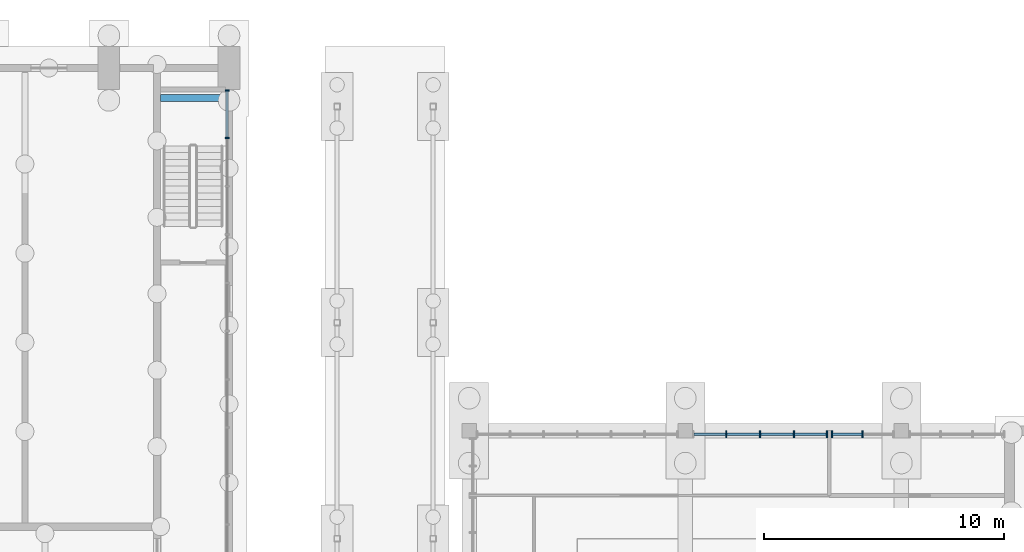
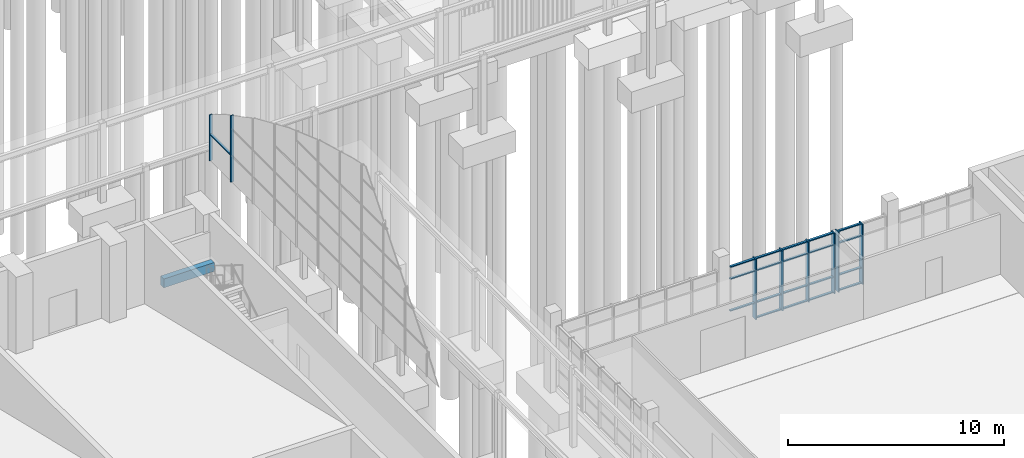
# One storey, part 34 of 106: 28 members, 1 beam, 3 elements without a shape of their own.
"""IFC4 building model written with IfcOpenShell, lengths in metres."""

import ifcopenshell
import ifcopenshell.guid

model = None  # the IFC model being written
_history = None  # IfcOwnerHistory: only IFC2X3 demands one
_inside = {}  # id of a spatial element -> (the spatial element, [elements in it])
_under = {}  # id of a project, library or spatial element -> (it, [spatial elements below it])
_declared = {}  # id of a project -> (the project, [libraries it declares])
_typed = {}  # id of a type object -> (the type object, [elements of that type])
_made_of = {}  # id of a material, layer set ... -> (it, [elements and type objects made of it])


def new_model(schema):
    """Start an empty IFC model of exactly this schema.

    Asked for "IFC4X3", IfcOpenShell would pick the latest addendum, in which some entities
    have other attributes; the version numbers below select the first issue.
    IFC2X3 requires an IfcOwnerHistory on every rooted entity: one is made here for all.
    """
    global model, _history
    if schema == "IFC4X3":
        model = ifcopenshell.file(schema_version=(4, 3, 0, 0))
    else:
        model = ifcopenshell.file(schema=schema)
    _inside.clear()
    _under.clear()
    _declared.clear()
    _typed.clear()
    _made_of.clear()
    _history = None
    if model.schema == "IFC2X3":
        org = make("IfcOrganization", Name="unknown")
        user = make(
            "IfcPersonAndOrganization",
            ThePerson=make("IfcPerson", FamilyName="unknown"),
            TheOrganization=org,
        )
        app = make(
            "IfcApplication",
            ApplicationDeveloper=org,
            Version="unknown",
            ApplicationFullName="unknown",
            ApplicationIdentifier="unknown",
        )
        _history = make(
            "IfcOwnerHistory",
            OwningUser=user,
            OwningApplication=app,
            ChangeAction="ADDED",
            CreationDate=0,
        )
    return model


def make(cls, **values):
    """One entity of the class cls with the attributes given. An attribute that is None is left unset."""
    return model.create_entity(
        cls, **{name: value for name, value in values.items() if value is not None}
    )


def rooted(cls, **values):
    """An entity with a GlobalId (a new one), such as an element, a storey or a relation."""
    return make(cls, GlobalId=ifcopenshell.guid.new(), OwnerHistory=_history, **values)


def si_unit(unit_type, name, prefix=None):
    """IfcSIUnit, for example si_unit("LENGTHUNIT", "METRE", prefix="MILLI")."""
    return make("IfcSIUnit", UnitType=unit_type, Prefix=prefix, Name=name)


def assignment(units):
    """IfcUnitAssignment: the units of a project."""
    return None if units is None else make("IfcUnitAssignment", Units=units)


def point(xyz):
    """IfcCartesianPoint."""
    return None if xyz is None else make("IfcCartesianPoint", Coordinates=xyz)


def direction(xyz):
    """IfcDirection."""
    return None if xyz is None else make("IfcDirection", DirectionRatios=xyz)


def frame(location, z_axis=None, x_axis=None):
    """IfcAxis2Placement3D, a coordinate frame: its origin and axes. An axis left out is left unset."""
    return make(
        "IfcAxis2Placement3D",
        Location=point(location),
        Axis=direction(z_axis),
        RefDirection=direction(x_axis),
    )


def frame_2d(location, x_axis=None):
    """IfcAxis2Placement2D, a coordinate frame in the plane: its origin and x axis."""
    return make(
        "IfcAxis2Placement2D", Location=point(location), RefDirection=direction(x_axis)
    )


def origin():
    """The frame at (0, 0, 0) with its axes left unset."""
    return frame((0.0, 0.0, 0.0))


def origin_2d():
    """The frame at (0, 0) in the plane with its x axis left unset."""
    return frame_2d((0.0, 0.0))


def place(relative_to, where):
    """IfcLocalPlacement: puts the frame where relative to a parent placement (None: the world)."""
    return make(
        "IfcLocalPlacement", PlacementRelTo=relative_to, RelativePlacement=where
    )


def context(
    kind, dimensions, precision=None, world=None, true_north=None, identifier=None
):
    """IfcGeometricRepresentationContext, for example the 3D "Model" context."""
    return make(
        "IfcGeometricRepresentationContext",
        ContextIdentifier=identifier,
        ContextType=kind,
        CoordinateSpaceDimension=dimensions,
        Precision=precision,
        WorldCoordinateSystem=world,
        TrueNorth=true_north,
    )


def subcontext(parent, identifier, kind, view, scale=None):
    """IfcGeometricRepresentationSubContext, for example "Body" below "Model"."""
    return make(
        "IfcGeometricRepresentationSubContext",
        ContextIdentifier=identifier,
        ContextType=kind,
        ParentContext=parent,
        TargetScale=scale,
        TargetView=view,
    )


def project(units=None, contexts=None):
    """IfcProject with its units and contexts."""
    return rooted(
        "IfcProject",
        Name="project",
        RepresentationContexts=contexts,
        UnitsInContext=assignment(units),
    )


def spatial(cls, under=None, at=None, **own):
    """A site, building, storey or space (cls), placed at a placement, below another one or the project."""
    s = rooted(cls, ObjectPlacement=at, **own)
    if under is not None:
        _under.setdefault(under.id(), (under, []))[1].append(s)
    return s


def profile(cls, at=None, kind="AREA", **sizes):
    """A parametric profile (cls). Its sizes go by their IFC names, for example OverallWidth=200.0."""
    return make(cls, ProfileType=kind, Position=at, **sizes)


def rectangle(**sizes):
    """IfcRectangleProfileDef."""
    return profile("IfcRectangleProfileDef", **sizes)


def extrude(swept, where, along, depth):
    """IfcExtrudedAreaSolid: the profile swept, set in the frame where, extruded along a direction by depth."""
    return make(
        "IfcExtrudedAreaSolid",
        SweptArea=swept,
        Position=where,
        ExtrudedDirection=direction(along),
        Depth=depth,
    )


def shape(context_of_items, identifier, shape_type, items):
    """IfcShapeRepresentation: the items that make up one representation, for example the "Body"."""
    return make(
        "IfcShapeRepresentation",
        ContextOfItems=context_of_items,
        RepresentationIdentifier=identifier,
        RepresentationType=shape_type,
        Items=items,
    )


def material(Name=None, Category=None):
    """IfcMaterial."""
    return make("IfcMaterial", Name=Name, Category=Category)


def material_profile(
    of_material, cross_section, Name=None, Category=None, Priority=None
):
    """IfcMaterialProfile: a cross section and its material."""
    return make(
        "IfcMaterialProfile",
        Name=Name,
        Material=of_material,
        Profile=cross_section,
        Priority=Priority,
        Category=Category,
    )


def profile_set(profiles, Name=None, composite=None):
    """IfcMaterialProfileSet."""
    return make(
        "IfcMaterialProfileSet",
        Name=Name,
        MaterialProfiles=profiles,
        CompositeProfile=composite,
    )


def made_of(thing, what):
    """Note that an element or type object is made of a material, layer set ...; save() writes the relation."""
    if what is not None:
        _made_of.setdefault(what.id(), (what, []))[1].append(thing)
    return thing


def type_object(cls, material=None, **own):
    """A type object (cls), such as IfcWallType, which elements share."""
    return made_of(rooted(cls, **own), material)


def element(
    cls,
    number,
    at=None,
    inside=None,
    cuts=None,
    type_object=None,
    material=None,
    context=None,
    identifier="Body",
    shape_type=None,
    held_by="IfcProductDefinitionShape",
    body=None,
    shapes=None,
    **own,
):
    """One element of the class cls, such as IfcWall. Its Tag is "e" and its number.

    at: its placement. inside: the storey or other place that contains it. cuts: it is an
    opening in that element (IfcRelVoidsElement). A single representation is given by context,
    identifier, shape_type and body (its items); several are given by shapes. held_by: the class
    of the entity that holds the representations. save() writes the other relations.
    """
    e = rooted(cls, Tag="e%d" % number, ObjectPlacement=at, **own)
    if body is not None:
        shapes = [shape(context, identifier, shape_type, body)]
    if shapes is not None:
        e.Representation = make(held_by, Representations=shapes)
    if inside is not None:
        _inside.setdefault(inside.id(), (inside, []))[1].append(e)
    if cuts is not None:
        rooted(
            "IfcRelVoidsElement", RelatingBuildingElement=cuts, RelatedOpeningElement=e
        )
    if type_object is not None:
        _typed.setdefault(type_object.id(), (type_object, []))[1].append(e)
    return made_of(e, material)


def aggregate(whole, parts):
    """IfcRelAggregates: a whole, such as a stair, and the parts it consists of."""
    return rooted("IfcRelAggregates", RelatingObject=whole, RelatedObjects=parts)


def save(model, path):
    """Write the relations noted so far, then the file.

    IfcRelAggregates (storeys below a building ...), IfcRelContainedInSpatialStructure (elements
    in a storey), IfcRelDefinesByType, IfcRelAssociatesMaterial and IfcRelDeclares: one each for
    every whole, place, type object, material and project.
    """
    for whole, parts in _under.values():
        aggregate(whole, parts)
    for where, things in _inside.values():
        rooted(
            "IfcRelContainedInSpatialStructure",
            RelatedElements=things,
            RelatingStructure=where,
        )
    for kind, things in _typed.values():
        rooted("IfcRelDefinesByType", RelatedObjects=things, RelatingType=kind)
    for what, things in _made_of.values():
        rooted("IfcRelAssociatesMaterial", RelatedObjects=things, RelatingMaterial=what)
    for by, libraries in _declared.values():
        rooted("IfcRelDeclares", RelatingContext=by, RelatedDefinitions=libraries)
    model.write(path)


model = new_model("IFC4")

# Units and contexts
model_context = context("Model", 3, precision=1e-05, world=origin(), true_north=direction((0.0, 1.0)))
body_context = subcontext(model_context, "Body", "Model", "MODEL_VIEW")
ifc_project = project(units=[si_unit("LENGTHUNIT", "METRE"), si_unit("AREAUNIT", "SQUARE_METRE"), si_unit("VOLUMEUNIT", "CUBIC_METRE"), si_unit("PLANEANGLEUNIT", "RADIAN"), si_unit("MASSUNIT", "GRAM", prefix="KILO")], contexts=[model_context])

# Site, building, storey
site_placement = place(None, origin())
site = spatial("IfcSite", under=ifc_project, at=site_placement, CompositionType="ELEMENT")
building_placement = place(site_placement, origin())
building = spatial("IfcBuilding", under=site, at=building_placement, Name="Merrow Basin Faculty of Sciences", CompositionType="ELEMENT")
storey_placement = place(building_placement, origin())
storey = spatial("IfcBuildingStorey", under=building, at=storey_placement, Name="L00", CompositionType="ELEMENT", Elevation=0.0)

# Curtain wall, members
ifc_material_1 = material(Name="Aluminium alloy 6063", Category="aluminium")
curtain_wall_type_1 = type_object("IfcCurtainWallType", Name="Arched curtain wall 160", PredefinedType="NOTDEFINED", material=ifc_material_1)
curtain_wall_1_placement = place(storey_placement, origin())
curtain_wall_1 = element("IfcCurtainWall", 1, at=curtain_wall_1_placement, inside=storey, type_object=curtain_wall_type_1, Name="East gable glazing C", PredefinedType="NOTDEFINED")
ifc_material_2 = material(Name="Aluminium alloy 6063", Category="aluminium")
ifc_material_profile_1 = material_profile(ifc_material_2, rectangle(XDim=0.159912109375, YDim=0.06005859375, at=origin_2d()))
ifc_profile_set_1 = profile_set([ifc_material_profile_1], Name="Aluminium alloy 6063")
member_type_1 = type_object("IfcMemberType", Name="Aluminium gable mullion 60x160", PredefinedType="MULLION", material=ifc_profile_set_1)
member_1_placement = place(storey_placement, frame((34.919921875, 48.18896484375, 7.5), z_axis=(0.0, 0.0, 1.0), x_axis=(1.0, 0.0, 0.0)))
member_1 = element("IfcMember", 2, at=member_1_placement, type_object=member_type_1, Name="CW4 mullion 18", PredefinedType="MULLION", context=body_context, shape_type="SweptSolid", body=[
    extrude(rectangle(XDim=0.159912109375, YDim=0.06005859375, at=origin_2d()), origin(), (0.0, 0.0, 1.0), 3.75),
])
member_2_placement = place(storey_placement, frame((34.919921875, 50.169921875, 7.5), z_axis=(0.0, 0.0, 1.0), x_axis=(1.0, 0.0, 0.0)))
member_2 = element("IfcMember", 3, at=member_2_placement, type_object=member_type_1, Name="CW4 mullion 19", PredefinedType="MULLION", context=body_context, shape_type="SweptSolid", body=[
    extrude(rectangle(XDim=0.159912109375, YDim=0.06005859375, at=origin_2d()), origin(), (0.0, 0.0, 1.0), 2.590087890625),
])
ifc_material_3 = material(Name="Aluminium alloy 6063", Category="aluminium")
ifc_material_profile_2 = material_profile(ifc_material_3, rectangle(XDim=0.1201171875, YDim=0.06005859375, at=origin_2d()))
ifc_profile_set_2 = profile_set([ifc_material_profile_2], Name="Aluminium alloy 6063")
member_type_2 = type_object("IfcMemberType", Name="Aluminium gable transom 60x120", PredefinedType="USERDEFINED", material=ifc_profile_set_2)
member_3_placement = place(storey_placement, frame((34.919921875, 48.218994140625, 9.0), z_axis=(0.0, 1.0, 0.0), x_axis=(-1.0, 0.0, 0.0)))
member_3 = element("IfcMember", 4, at=member_3_placement, type_object=member_type_2, Name="CW4 transom 18.1", ObjectType="TRANSOM", PredefinedType="USERDEFINED", context=body_context, shape_type="SweptSolid", body=[
    extrude(rectangle(XDim=0.1201171875, YDim=0.06005859375, at=origin_2d()), origin(), (0.0, 0.0, 1.0), 1.9208984375),
])
aggregate(curtain_wall_1, [member_1, member_2, member_3])

ifc_material_4 = material(Name="Aluminium alloy 6063", Category="aluminium")
curtain_wall_type_2 = type_object("IfcCurtainWallType", Name="Atrium concourse curtain wall 300", PredefinedType="NOTDEFINED", material=ifc_material_4)
curtain_wall_2_placement = place(storey_placement, origin())
curtain_wall_2 = element("IfcCurtainWall", 5, at=curtain_wall_2_placement, inside=storey, type_object=curtain_wall_type_2, Name="N curtain wall L00 2", PredefinedType="NOTDEFINED")
ifc_material_5 = material(Name="Aluminium alloy 6063", Category="aluminium")
ifc_material_profile_3 = material_profile(ifc_material_5, rectangle(XDim=0.300048828125, YDim=0.06005859375, at=origin_2d()))
ifc_profile_set_3 = profile_set([ifc_material_profile_3], Name="Aluminium alloy 6063")
member_type_3 = type_object("IfcMemberType", Name="Aluminium mullion 60x300", PredefinedType="MULLION", material=ifc_profile_set_3)
member_4_placement = place(storey_placement, frame((55.706298828125, 35.85009765625, 0.0), z_axis=(0.0, 0.0, 1.0), x_axis=(0.0, 1.0, 0.0)))
member_4 = element("IfcMember", 6, at=member_4_placement, type_object=member_type_3, Name="CW6 mullion 2", PredefinedType="MULLION", context=body_context, shape_type="SweptSolid", body=[
    extrude(rectangle(XDim=0.300048828125, YDim=0.06005859375, at=origin_2d()), origin(), (0.0, 0.0, 1.0), 3.39990234375),
])
member_5_placement = place(storey_placement, frame((57.112548828125, 35.85009765625, 0.0), z_axis=(0.0, 0.0, 1.0), x_axis=(0.0, 1.0, 0.0)))
member_5 = element("IfcMember", 7, at=member_5_placement, type_object=member_type_3, Name="CW6 mullion 3", PredefinedType="MULLION", context=body_context, shape_type="SweptSolid", body=[
    extrude(rectangle(XDim=0.300048828125, YDim=0.06005859375, at=origin_2d()), origin(), (0.0, 0.0, 1.0), 3.39990234375),
])
member_6_placement = place(storey_placement, frame((58.518798828125, 35.85009765625, 0.0), z_axis=(0.0, 0.0, 1.0), x_axis=(0.0, 1.0, 0.0)))
member_6 = element("IfcMember", 8, at=member_6_placement, type_object=member_type_3, Name="CW6 mullion 4", PredefinedType="MULLION", context=body_context, shape_type="SweptSolid", body=[
    extrude(rectangle(XDim=0.300048828125, YDim=0.06005859375, at=origin_2d()), origin(), (0.0, 0.0, 1.0), 3.39990234375),
])
member_7_placement = place(storey_placement, frame((59.89501953125, 35.85009765625, 0.0), z_axis=(0.0, 0.0, 1.0), x_axis=(0.0, 1.0, 0.0)))
member_7 = element("IfcMember", 9, at=member_7_placement, type_object=member_type_3, Name="CW6 mullion 5", PredefinedType="MULLION", context=body_context, shape_type="SweptSolid", body=[
    extrude(rectangle(XDim=0.300048828125, YDim=0.06005859375, at=origin_2d()), origin(), (0.0, 0.0, 1.0), 3.39990234375),
])

curtain_wall_3_placement = place(storey_placement, origin())
curtain_wall_3 = element("IfcCurtainWall", 10, at=curtain_wall_3_placement, inside=storey, type_object=curtain_wall_type_2, Name="N curtain wall L00 3", PredefinedType="NOTDEFINED")
member_8_placement = place(storey_placement, frame((60.10498046875, 35.85009765625, 0.0), z_axis=(0.0, 0.0, 1.0), x_axis=(0.0, 1.0, 0.0)))
member_8 = element("IfcMember", 11, at=member_8_placement, type_object=member_type_3, Name="CW6 mullion 1", PredefinedType="MULLION", context=body_context, shape_type="SweptSolid", body=[
    extrude(rectangle(XDim=0.300048828125, YDim=0.06005859375, at=origin_2d()), origin(), (0.0, 0.0, 1.0), 3.39990234375),
])
member_9_placement = place(storey_placement, frame((61.387451171875, 35.85009765625, 0.0), z_axis=(0.0, 0.0, 1.0), x_axis=(0.0, 1.0, 0.0)))
member_9 = element("IfcMember", 12, at=member_9_placement, type_object=member_type_3, Name="CW6 mullion 2", PredefinedType="MULLION", context=body_context, shape_type="SweptSolid", body=[
    extrude(rectangle(XDim=0.300048828125, YDim=0.06005859375, at=origin_2d()), origin(), (0.0, 0.0, 1.0), 3.39990234375),
])

# Member
ifc_material_6 = material(Name="Aluminium alloy 6063", Category="aluminium")
ifc_material_profile_4 = material_profile(ifc_material_6, rectangle(XDim=0.1201171875, YDim=0.06005859375, at=origin_2d()))
ifc_profile_set_4 = profile_set([ifc_material_profile_4], Name="Aluminium alloy 6063")
member_type_4 = type_object("IfcMemberType", Name="Aluminium transom 60x120", PredefinedType="USERDEFINED", material=ifc_profile_set_4)
member_10_placement = place(storey_placement, frame((54.360107421875, 35.85009765625, 0.89990234375), z_axis=(1.0, 0.0, 0.0), x_axis=(0.0, 1.0, 0.0)))
member_10 = element("IfcMember", 13, at=member_10_placement, type_object=member_type_4, Name="CW6 transom 1.2", ObjectType="TRANSOM", PredefinedType="USERDEFINED", context=body_context, shape_type="SweptSolid", body=[
    extrude(rectangle(XDim=0.1201171875, YDim=0.06005859375, at=origin_2d()), origin(), (0.0, 0.0, 1.0), 1.316162109375),
])

member_11_placement = place(storey_placement, frame((54.360107421875, 35.85009765625, 2.699951171875), z_axis=(1.0, 0.0, 0.0), x_axis=(0.0, 1.0, 0.0)))
member_11 = element("IfcMember", 14, at=member_11_placement, type_object=member_type_4, Name="CW6 transom 1.3", ObjectType="TRANSOM", PredefinedType="USERDEFINED", context=body_context, shape_type="SweptSolid", body=[
    extrude(rectangle(XDim=0.1201171875, YDim=0.06005859375, at=origin_2d()), origin(), (0.0, 0.0, 1.0), 1.316162109375),
])

member_12_placement = place(storey_placement, frame((54.360107421875, 35.85009765625, 3.3701171875), z_axis=(1.0, 0.0, 0.0), x_axis=(0.0, 1.0, 0.0)))
member_12 = element("IfcMember", 15, at=member_12_placement, type_object=member_type_4, Name="CW6 transom 1.4", ObjectType="TRANSOM", PredefinedType="USERDEFINED", context=body_context, shape_type="SweptSolid", body=[
    extrude(rectangle(XDim=0.1201171875, YDim=0.06005859375, at=origin_2d()), origin(), (0.0, 0.0, 1.0), 1.316162109375),
])

member_13_placement = place(storey_placement, frame((55.736328125, 35.85009765625, 0.030029296875), z_axis=(1.0, 0.0, 0.0), x_axis=(0.0, 1.0, 0.0)))
member_13 = element("IfcMember", 16, at=member_13_placement, type_object=member_type_4, Name="CW6 transom 2.1", ObjectType="TRANSOM", PredefinedType="USERDEFINED", context=body_context, shape_type="SweptSolid", body=[
    extrude(rectangle(XDim=0.1201171875, YDim=0.06005859375, at=origin_2d()), origin(), (0.0, 0.0, 1.0), 1.34619140625),
])

member_14_placement = place(storey_placement, frame((55.736328125, 35.85009765625, 0.89990234375), z_axis=(1.0, 0.0, 0.0), x_axis=(0.0, 1.0, 0.0)))
member_14 = element("IfcMember", 17, at=member_14_placement, type_object=member_type_4, Name="CW6 transom 2.2", ObjectType="TRANSOM", PredefinedType="USERDEFINED", context=body_context, shape_type="SweptSolid", body=[
    extrude(rectangle(XDim=0.1201171875, YDim=0.06005859375, at=origin_2d()), origin(), (0.0, 0.0, 1.0), 1.34619140625),
])

member_15_placement = place(storey_placement, frame((55.736328125, 35.85009765625, 2.699951171875), z_axis=(1.0, 0.0, 0.0), x_axis=(0.0, 1.0, 0.0)))
member_15 = element("IfcMember", 18, at=member_15_placement, type_object=member_type_4, Name="CW6 transom 2.3", ObjectType="TRANSOM", PredefinedType="USERDEFINED", context=body_context, shape_type="SweptSolid", body=[
    extrude(rectangle(XDim=0.1201171875, YDim=0.06005859375, at=origin_2d()), origin(), (0.0, 0.0, 1.0), 1.34619140625),
])

member_16_placement = place(storey_placement, frame((55.736328125, 35.85009765625, 3.3701171875), z_axis=(1.0, 0.0, 0.0), x_axis=(0.0, 1.0, 0.0)))
member_16 = element("IfcMember", 19, at=member_16_placement, type_object=member_type_4, Name="CW6 transom 2.4", ObjectType="TRANSOM", PredefinedType="USERDEFINED", context=body_context, shape_type="SweptSolid", body=[
    extrude(rectangle(XDim=0.1201171875, YDim=0.06005859375, at=origin_2d()), origin(), (0.0, 0.0, 1.0), 1.34619140625),
])

member_17_placement = place(storey_placement, frame((57.142578125, 35.85009765625, 0.030029296875), z_axis=(1.0, 0.0, 0.0), x_axis=(0.0, 1.0, 0.0)))
member_17 = element("IfcMember", 20, at=member_17_placement, type_object=member_type_4, Name="CW6 transom 3.1", ObjectType="TRANSOM", PredefinedType="USERDEFINED", context=body_context, shape_type="SweptSolid", body=[
    extrude(rectangle(XDim=0.1201171875, YDim=0.06005859375, at=origin_2d()), origin(), (0.0, 0.0, 1.0), 1.34619140625),
])

member_18_placement = place(storey_placement, frame((57.142578125, 35.85009765625, 0.89990234375), z_axis=(1.0, 0.0, 0.0), x_axis=(0.0, 1.0, 0.0)))
member_18 = element("IfcMember", 21, at=member_18_placement, type_object=member_type_4, Name="CW6 transom 3.2", ObjectType="TRANSOM", PredefinedType="USERDEFINED", context=body_context, shape_type="SweptSolid", body=[
    extrude(rectangle(XDim=0.1201171875, YDim=0.06005859375, at=origin_2d()), origin(), (0.0, 0.0, 1.0), 1.34619140625),
])

member_19_placement = place(storey_placement, frame((57.142578125, 35.85009765625, 2.699951171875), z_axis=(1.0, 0.0, 0.0), x_axis=(0.0, 1.0, 0.0)))
member_19 = element("IfcMember", 22, at=member_19_placement, type_object=member_type_4, Name="CW6 transom 3.3", ObjectType="TRANSOM", PredefinedType="USERDEFINED", context=body_context, shape_type="SweptSolid", body=[
    extrude(rectangle(XDim=0.1201171875, YDim=0.06005859375, at=origin_2d()), origin(), (0.0, 0.0, 1.0), 1.34619140625),
])

member_20_placement = place(storey_placement, frame((57.142578125, 35.85009765625, 3.3701171875), z_axis=(1.0, 0.0, 0.0), x_axis=(0.0, 1.0, 0.0)))
member_20 = element("IfcMember", 23, at=member_20_placement, type_object=member_type_4, Name="CW6 transom 3.4", ObjectType="TRANSOM", PredefinedType="USERDEFINED", context=body_context, shape_type="SweptSolid", body=[
    extrude(rectangle(XDim=0.1201171875, YDim=0.06005859375, at=origin_2d()), origin(), (0.0, 0.0, 1.0), 1.34619140625),
])

member_21_placement = place(storey_placement, frame((58.548828125, 35.85009765625, 0.030029296875), z_axis=(1.0, 0.0, 0.0), x_axis=(0.0, 1.0, 0.0)))
member_21 = element("IfcMember", 24, at=member_21_placement, type_object=member_type_4, Name="CW6 transom 4.1", ObjectType="TRANSOM", PredefinedType="USERDEFINED", context=body_context, shape_type="SweptSolid", body=[
    extrude(rectangle(XDim=0.1201171875, YDim=0.06005859375, at=origin_2d()), origin(), (0.0, 0.0, 1.0), 1.316162109375),
])

member_22_placement = place(storey_placement, frame((58.548828125, 35.85009765625, 0.89990234375), z_axis=(1.0, 0.0, 0.0), x_axis=(0.0, 1.0, 0.0)))
member_22 = element("IfcMember", 25, at=member_22_placement, type_object=member_type_4, Name="CW6 transom 4.2", ObjectType="TRANSOM", PredefinedType="USERDEFINED", context=body_context, shape_type="SweptSolid", body=[
    extrude(rectangle(XDim=0.1201171875, YDim=0.06005859375, at=origin_2d()), origin(), (0.0, 0.0, 1.0), 1.316162109375),
])

member_23_placement = place(storey_placement, frame((58.548828125, 35.85009765625, 2.699951171875), z_axis=(1.0, 0.0, 0.0), x_axis=(0.0, 1.0, 0.0)))
member_23 = element("IfcMember", 26, at=member_23_placement, type_object=member_type_4, Name="CW6 transom 4.3", ObjectType="TRANSOM", PredefinedType="USERDEFINED", context=body_context, shape_type="SweptSolid", body=[
    extrude(rectangle(XDim=0.1201171875, YDim=0.06005859375, at=origin_2d()), origin(), (0.0, 0.0, 1.0), 1.316162109375),
])

member_24_placement = place(storey_placement, frame((58.548828125, 35.85009765625, 3.3701171875), z_axis=(1.0, 0.0, 0.0), x_axis=(0.0, 1.0, 0.0)))
member_24 = element("IfcMember", 27, at=member_24_placement, type_object=member_type_4, Name="CW6 transom 4.4", ObjectType="TRANSOM", PredefinedType="USERDEFINED", context=body_context, shape_type="SweptSolid", body=[
    extrude(rectangle(XDim=0.1201171875, YDim=0.06005859375, at=origin_2d()), origin(), (0.0, 0.0, 1.0), 1.316162109375),
])

aggregate(curtain_wall_2, [member_4, member_5, member_6, member_7, member_10, member_11, member_12, member_13, member_14, member_15, member_16, member_17, member_18, member_19, member_20, member_21, member_22, member_23, member_24])

member_25_placement = place(storey_placement, frame((60.135009765625, 35.85009765625, 0.030029296875), z_axis=(1.0, 0.0, 0.0), x_axis=(0.0, 1.0, 0.0)))
member_25 = element("IfcMember", 28, at=member_25_placement, type_object=member_type_4, Name="CW6 transom 1.1", ObjectType="TRANSOM", PredefinedType="USERDEFINED", context=body_context, shape_type="SweptSolid", body=[
    extrude(rectangle(XDim=0.1201171875, YDim=0.06005859375, at=origin_2d()), origin(), (0.0, 0.0, 1.0), 1.222412109375),
])

member_26_placement = place(storey_placement, frame((60.135009765625, 35.85009765625, 0.89990234375), z_axis=(1.0, 0.0, 0.0), x_axis=(0.0, 1.0, 0.0)))
member_26 = element("IfcMember", 29, at=member_26_placement, type_object=member_type_4, Name="CW6 transom 1.2", ObjectType="TRANSOM", PredefinedType="USERDEFINED", context=body_context, shape_type="SweptSolid", body=[
    extrude(rectangle(XDim=0.1201171875, YDim=0.06005859375, at=origin_2d()), origin(), (0.0, 0.0, 1.0), 1.222412109375),
])

member_27_placement = place(storey_placement, frame((60.135009765625, 35.85009765625, 2.699951171875), z_axis=(1.0, 0.0, 0.0), x_axis=(0.0, 1.0, 0.0)))
member_27 = element("IfcMember", 30, at=member_27_placement, type_object=member_type_4, Name="CW6 transom 1.3", ObjectType="TRANSOM", PredefinedType="USERDEFINED", context=body_context, shape_type="SweptSolid", body=[
    extrude(rectangle(XDim=0.1201171875, YDim=0.06005859375, at=origin_2d()), origin(), (0.0, 0.0, 1.0), 1.222412109375),
])

member_28_placement = place(storey_placement, frame((60.135009765625, 35.85009765625, 3.3701171875), z_axis=(1.0, 0.0, 0.0), x_axis=(0.0, 1.0, 0.0)))
member_28 = element("IfcMember", 31, at=member_28_placement, type_object=member_type_4, Name="CW6 transom 1.4", ObjectType="TRANSOM", PredefinedType="USERDEFINED", context=body_context, shape_type="SweptSolid", body=[
    extrude(rectangle(XDim=0.1201171875, YDim=0.06005859375, at=origin_2d()), origin(), (0.0, 0.0, 1.0), 1.222412109375),
])

aggregate(curtain_wall_3, [member_8, member_9, member_25, member_26, member_27, member_28])

# Beam
ifc_material_7 = material(Name="Concrete C40/50", Category="concrete")
ifc_material_profile_5 = material_profile(ifc_material_7, rectangle(XDim=0.300048828125, YDim=0.5, at=origin_2d()))
ifc_profile_set_5 = profile_set([ifc_material_profile_5], Name="Concrete C40/50")
beam_type = type_object("IfcBeamType", Name="Stair landing beam RC300x500 C40/50", PredefinedType="BEAM", material=ifc_profile_set_5)
beam_placement = place(storey_placement, frame((32.14990234375, 49.85009765625, 1.800048828125), z_axis=(1.0, 0.0, 0.0), x_axis=(0.0, 1.0, 0.0)))
element("IfcBeam", 32, at=beam_placement, inside=storey, type_object=beam_type, Name="LB1 L00 002", PredefinedType="BEAM", context=body_context, shape_type="SweptSolid", body=[
    extrude(rectangle(XDim=0.300048828125, YDim=0.5, at=origin_2d()), origin(), (0.0, 0.0, 1.0), 2.7001953125),
])

save(model, "model.ifc")
